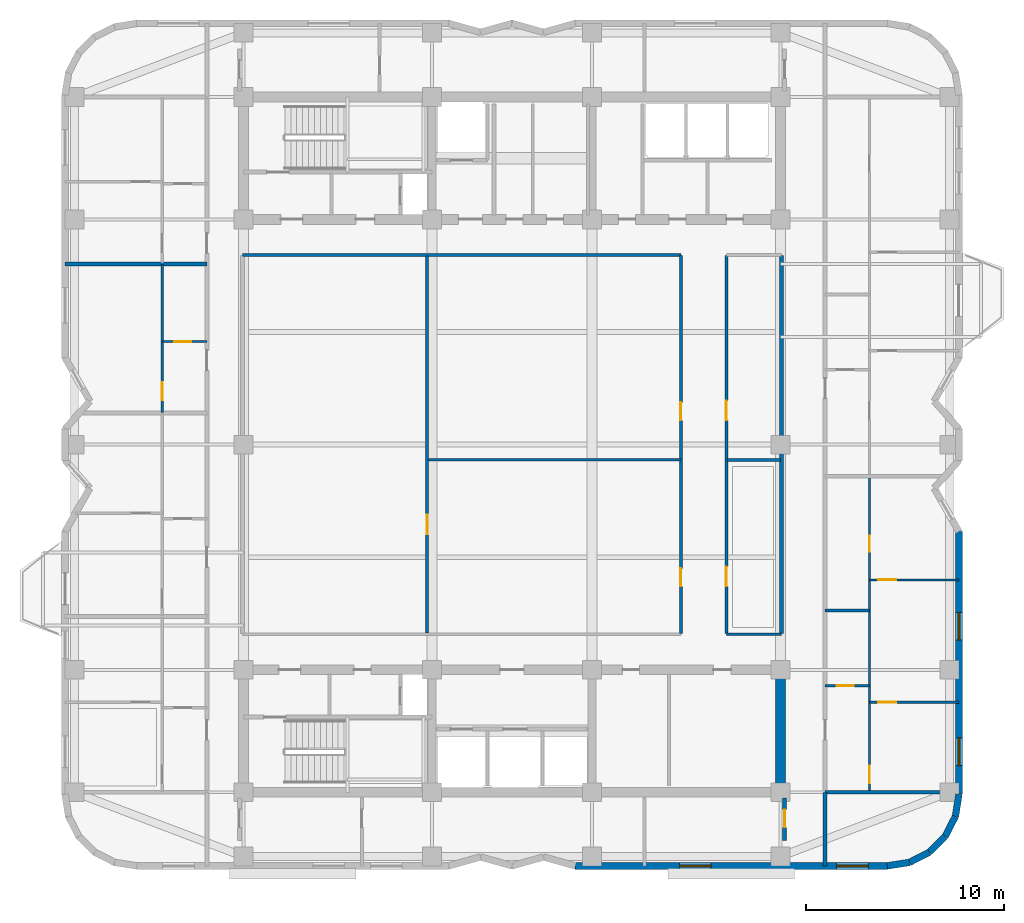
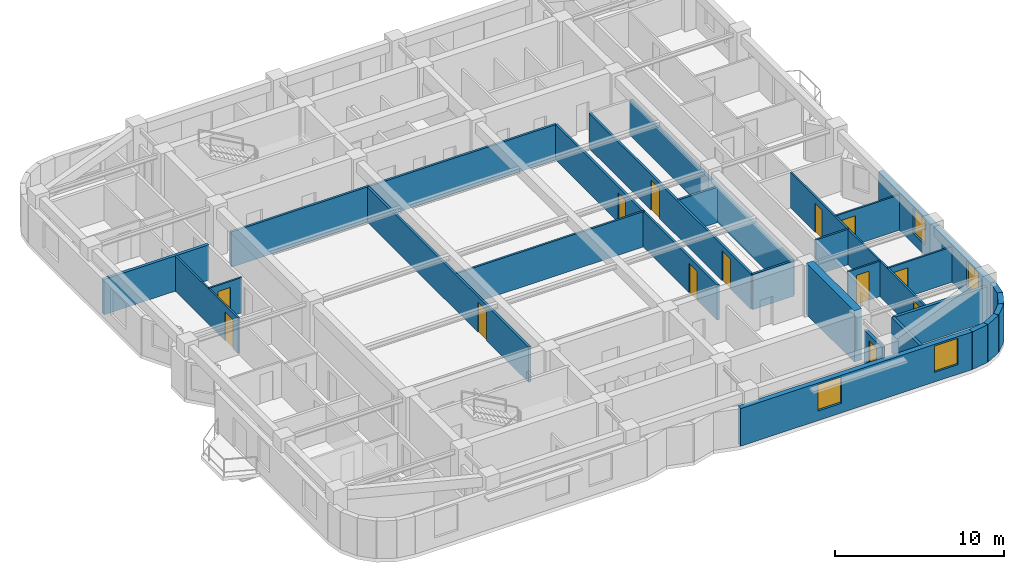
# One storey, part 4 of 9: 27 walls, 13 doors, 4 windows, 17 openings.
"""IFC4 building model written with IfcOpenShell, lengths in metres."""

from ifc_helpers import new_model, si_unit, direction, frame, frame_2d, origin, place, context, subcontext, project, spatial, rectangle, extrude, material, layer, layer_set, type_object, element, fill, save


model = new_model("IFC4")

# Units and contexts
model_context = context("Model", 3, precision=1e-05, world=origin(), true_north=direction((0.0, 1.0)))
body_context = subcontext(model_context, "Body", "Model", "MODEL_VIEW")
ifc_project = project(units=[si_unit("LENGTHUNIT", "METRE"), si_unit("AREAUNIT", "SQUARE_METRE"), si_unit("VOLUMEUNIT", "CUBIC_METRE"), si_unit("PLANEANGLEUNIT", "RADIAN"), si_unit("MASSUNIT", "GRAM", prefix="KILO")], contexts=[model_context])

# Site, building, storey
site_placement = place(None, origin())
site = spatial("IfcSite", under=ifc_project, at=site_placement, CompositionType="ELEMENT")
building_placement = place(site_placement, origin())
building = spatial("IfcBuilding", under=site, at=building_placement, Name="Svetorya Sky Lyceum", CompositionType="ELEMENT")
storey_placement = place(building_placement, frame((0.0, 0.0, 166.300048828125)))
storey = spatial("IfcBuildingStorey", under=building, at=storey_placement, Name="L41", CompositionType="ELEMENT", Elevation=166.300048828125)

# Wall
ifc_material_1 = material(Name="Concrete C50/60", Category="concrete")
ifc_layer_1 = layer(ifc_material_1, 0.5)
ifc_layer_set_1 = layer_set([ifc_layer_1], Name="Concrete C50/60")
wall_type_1 = type_object("IfcWallType", Name="WL-CORE-500", PredefinedType="SHEAR", material=ifc_layer_set_1)
wall_1_placement = place(storey_placement, frame((52.800048828125, 10.85009765625, 0.0), z_axis=(0.0, 0.0, 1.0), x_axis=(0.0, 1.0, 0.0)))
element("IfcWall", 1, at=wall_1_placement, inside=storey, type_object=wall_type_1, Name="L41 SC East Core Shear Wall", PredefinedType="SHEAR", context=body_context, shape_type="SweptSolid", body=[
    extrude(rectangle(XDim=5.699951171875, YDim=0.5, at=frame_2d((2.85009765625, 0.0))), origin(), (0.0, 0.0, 1.0), 3.699951171875),
])

# Wall, openings, windows
ifc_material_2 = material(Name="Putilovo limestone rainscreen on autoclaved cellular masonry", Category="masonry")
ifc_layer_2 = layer(ifc_material_2, 0.340087890625)
ifc_layer_set_2 = layer_set([ifc_layer_2], Name="Putilovo limestone rainscreen on autoclaved cellular masonry")
wall_type_2 = type_object("IfcWallType", Name="WL-EXT-340", PredefinedType="SOLIDWALL", material=ifc_layer_set_2)
wall_2_placement = place(storey_placement, frame((42.39990234375, 6.8701171875, 0.0), z_axis=(0.0, 0.0, 1.0), x_axis=(1.0, 0.0, 0.0)))
wall_2 = element("IfcWall", 2, at=wall_2_placement, inside=storey, type_object=wall_type_2, Name="L41 Limestone Exterior Wall 11M", PredefinedType="SOLIDWALL", context=body_context, shape_type="SweptSolid", body=[
    extrude(rectangle(XDim=15.800048828125, YDim=0.340087890625, at=frame_2d((7.89990234375, 0.0))), origin(), (0.0, 0.0, 1.0), 2.719970703125),
])
opening_1_placement = place(wall_2_placement, frame((5.28759765625, 0.0, 0.699951171875)))
opening_1 = element("IfcOpeningElement", 3, at=opening_1_placement, cuts=wall_2, Name="Opening W-R4", PredefinedType="OPENING", context=body_context, shape_type="SweptSolid", body=[
    extrude(rectangle(XDim=1.60009765625, YDim=1.89990234375, at=frame_2d((0.800048828125, 0.949951171875))), frame((0.0, 0.179931640625, 0.0), z_axis=(0.0, -1.0, 0.0), x_axis=(1.0, 0.0, 0.0)), (0.0, 0.0, 1.0), 0.360107421875),
])
opening_2_placement = place(wall_2_placement, frame((13.237548828125, 0.0, 0.699951171875)))
opening_2 = element("IfcOpeningElement", 4, at=opening_2_placement, cuts=wall_2, Name="Opening W-R4", PredefinedType="OPENING", context=body_context, shape_type="SweptSolid", body=[
    extrude(rectangle(XDim=1.60009765625, YDim=1.89990234375, at=frame_2d((0.800048828125, 0.949951171875))), frame((0.0, 0.179931640625, 0.0), z_axis=(0.0, -1.0, 0.0), x_axis=(1.0, 0.0, 0.0)), (0.0, 0.0, 1.0), 0.360107421875),
])
ifc_material_3 = material(Name="Thermally broken aluminium frame with triple low-E glazing", Category="aluminium")
window_type_1 = type_object("IfcWindowType", Name="WN-RES-160", PartitioningType="DOUBLE_PANEL_VERTICAL", PredefinedType="WINDOW", material=ifc_material_3)
window_1_placement = place(opening_1_placement, origin())
window_1 = element("IfcWindow", 5, at=window_1_placement, inside=storey, type_object=window_type_1, Name="L41 Facade Window W-R4.11M.1", OverallHeight=1.89990234375, OverallWidth=1.60009765625, PartitioningType="SINGLE_PANEL", PredefinedType="WINDOW", context=body_context, shape_type="SweptSolid", body=[
    extrude(rectangle(XDim=1.60009765625, YDim=1.89990234375, at=frame_2d((0.800048828125, 0.949951171875))), frame((0.0, 0.030029296875, 0.0), z_axis=(0.0, -1.0, 0.0), x_axis=(1.0, 0.0, 0.0)), (0.0, 0.0, 1.0), 0.06005859375),
])
fill(opening_1, window_1)
window_2_placement = place(opening_2_placement, origin())
window_2 = element("IfcWindow", 6, at=window_2_placement, inside=storey, type_object=window_type_1, Name="L41 Facade Window W-R4.11M.2", OverallHeight=1.89990234375, OverallWidth=1.60009765625, PartitioningType="SINGLE_PANEL", PredefinedType="WINDOW", context=body_context, shape_type="SweptSolid", body=[
    extrude(rectangle(XDim=1.60009765625, YDim=1.89990234375, at=frame_2d((0.800048828125, 0.949951171875))), frame((0.0, 0.030029296875, 0.0), z_axis=(0.0, -1.0, 0.0), x_axis=(1.0, 0.0, 0.0)), (0.0, 0.0, 1.0), 0.06005859375),
])
fill(opening_2, window_2)

# Walls
for number, where, z_axis, x_axis, name in (
    (7, (58.199951171875, 6.8701171875, 0.0), (0.0, 0.0, 1.0), (0.987714116584, 0.156271634985, 0.0), "L41 Limestone Exterior Wall 12M"),
    (8, (59.32177734375, 7.047607421875, 0.0), (0.0, 0.0, 1.0), (0.891005044957, 0.453993402883, 0.0), "L41 Limestone Exterior Wall 13M"),
):
    element("IfcWall", number, at=place(storey_placement, frame(where, z_axis=z_axis, x_axis=x_axis)), inside=storey, type_object=wall_type_2, Name=name, PredefinedType="SOLIDWALL", context=body_context, shape_type="SweptSolid", body=[
        extrude(rectangle(XDim=1.1357421875, YDim=0.340087890625, at=frame_2d((0.56787109375, 0.0))), origin(), (0.0, 0.0, 1.0), 2.719970703125),
    ])
wall_3_placement = place(storey_placement, frame((60.333740234375, 7.563232421875, 0.0), z_axis=(0.0, 0.0, 1.0), x_axis=(0.707106781187, 0.707106781187, 0.0)))
element("IfcWall", 9, at=wall_3_placement, inside=storey, type_object=wall_type_2, Name="L41 Limestone Exterior Wall 14M", PredefinedType="SOLIDWALL", context=body_context, shape_type="SweptSolid", body=[
    extrude(rectangle(XDim=1.135498046875, YDim=0.340087890625, at=frame_2d((0.56787109375, 0.0))), origin(), (0.0, 0.0, 1.0), 2.719970703125),
])
wall_4_placement = place(storey_placement, frame((61.13671875, 8.3662109375, 0.0), z_axis=(0.0, 0.0, 1.0), x_axis=(0.45390646422, 0.891049337433, 0.0)))
element("IfcWall", 10, at=wall_4_placement, inside=storey, type_object=wall_type_2, Name="L41 Limestone Exterior Wall 15M", PredefinedType="SOLIDWALL", context=body_context, shape_type="SweptSolid", body=[
    extrude(rectangle(XDim=1.135986328125, YDim=0.340087890625, at=frame_2d((0.56787109375, 0.0))), origin(), (0.0, 0.0, 1.0), 2.719970703125),
])
wall_5_placement = place(storey_placement, frame((61.65234375, 9.37841796875, 0.0), z_axis=(0.0, 0.0, 1.0), x_axis=(0.156514556949, 0.987675651954, 0.0)))
element("IfcWall", 11, at=wall_5_placement, inside=storey, type_object=wall_type_2, Name="L41 Limestone Exterior Wall 16M", PredefinedType="SOLIDWALL", context=body_context, shape_type="SweptSolid", body=[
    extrude(rectangle(XDim=1.135498046875, YDim=0.340087890625, at=frame_2d((0.56787109375, 0.0))), origin(), (0.0, 0.0, 1.0), 2.719970703125),
])

# Wall, openings, windows
wall_6_placement = place(storey_placement, frame((61.830078125, 10.5, 0.0), z_axis=(0.0, 0.0, 1.0), x_axis=(0.0, 1.0, 0.0)))
wall_6 = element("IfcWall", 12, at=wall_6_placement, inside=storey, type_object=wall_type_2, Name="L41 Limestone Exterior Wall 17M", PredefinedType="SOLIDWALL", context=body_context, shape_type="SweptSolid", body=[
    extrude(rectangle(XDim=13.300048828125, YDim=0.340087890625, at=frame_2d((6.64990234375, 0.0))), origin(), (0.0, 0.0, 1.0), 2.719970703125),
])
opening_3_placement = place(wall_6_placement, frame((1.449951171875, 0.0, 0.75)))
opening_3 = element("IfcOpeningElement", 13, at=opening_3_placement, cuts=wall_6, Name="Opening W-R2", PredefinedType="OPENING", context=body_context, shape_type="SweptSolid", body=[
    extrude(rectangle(XDim=1.39990234375, YDim=1.85009765625, at=frame_2d((0.699951171875, 0.925048828125))), frame((0.0, 0.179931640625, 0.0), z_axis=(0.0, -1.0, 0.0), x_axis=(1.0, 0.0, 0.0)), (0.0, 0.0, 1.0), 0.360107421875),
])
opening_4_placement = place(wall_6_placement, frame((7.800048828125, 0.0, 0.75)))
opening_4 = element("IfcOpeningElement", 14, at=opening_4_placement, cuts=wall_6, Name="Opening W-R2", PredefinedType="OPENING", context=body_context, shape_type="SweptSolid", body=[
    extrude(rectangle(XDim=1.39990234375, YDim=1.85009765625, at=frame_2d((0.699951171875, 0.925048828125))), frame((0.0, 0.179931640625, 0.0), z_axis=(0.0, -1.0, 0.0), x_axis=(1.0, 0.0, 0.0)), (0.0, 0.0, 1.0), 0.360107421875),
])
window_type_2 = type_object("IfcWindowType", Name="WN-RES-140", PartitioningType="SINGLE_PANEL", PredefinedType="WINDOW", material=ifc_material_3)
window_3_placement = place(opening_3_placement, origin())
window_3 = element("IfcWindow", 15, at=window_3_placement, inside=storey, type_object=window_type_2, Name="L41 Facade Window W-R2.17M.1", OverallHeight=1.85009765625, OverallWidth=1.39990234375, PartitioningType="SINGLE_PANEL", PredefinedType="WINDOW", context=body_context, shape_type="SweptSolid", body=[
    extrude(rectangle(XDim=1.39990234375, YDim=1.85009765625, at=frame_2d((0.699951171875, 0.925048828125))), frame((0.0, 0.030029296875, 0.0), z_axis=(0.0, -1.0, 0.0), x_axis=(1.0, 0.0, 0.0)), (0.0, 0.0, 1.0), 0.06005859375),
])
fill(opening_3, window_3)
window_4_placement = place(opening_4_placement, origin())
window_4 = element("IfcWindow", 16, at=window_4_placement, inside=storey, type_object=window_type_2, Name="L41 Facade Window W-R2.17M.2", OverallHeight=1.85009765625, OverallWidth=1.39990234375, PartitioningType="SINGLE_PANEL", PredefinedType="WINDOW", context=body_context, shape_type="SweptSolid", body=[
    extrude(rectangle(XDim=1.39990234375, YDim=1.85009765625, at=frame_2d((0.699951171875, 0.925048828125))), frame((0.0, 0.030029296875, 0.0), z_axis=(0.0, -1.0, 0.0), x_axis=(1.0, 0.0, 0.0)), (0.0, 0.0, 1.0), 0.06005859375),
])
fill(opening_4, window_4)

# Wall, opening, door
ifc_material_4 = material(Name="Twin-stud galvanized framing with double fireboard", Category="gypsum")
ifc_layer_3 = layer(ifc_material_4, 0.1201171875)
ifc_layer_set_3 = layer_set([ifc_layer_3], Name="Twin-stud galvanized framing with double fireboard")
wall_type_3 = type_object("IfcWallType", Name="WL-PART-120", PredefinedType="PARTITIONING", material=ifc_layer_set_3)
wall_7_placement = place(storey_placement, frame((21.5, 33.419921875, 0.0), z_axis=(0.0, 0.0, 1.0), x_axis=(1.0, 0.0, 0.0)))
wall_7 = element("IfcWall", 17, at=wall_7_placement, inside=storey, type_object=wall_type_3, Name="L41 Interior Partition W3-WH1", PredefinedType="PARTITIONING", context=body_context, shape_type="SweptSolid", body=[
    extrude(rectangle(XDim=2.25, YDim=0.1201171875, at=frame_2d((1.125, 0.0))), origin(), (0.0, 0.0, 1.0), 2.550048828125),
])
opening_5_placement = place(wall_7_placement, frame((0.60009765625, 0.0, 0.0)))
opening_5 = element("IfcOpeningElement", 18, at=opening_5_placement, cuts=wall_7, Name="Opening D-BT1", PredefinedType="OPENING", context=body_context, shape_type="SweptSolid", body=[
    extrude(rectangle(XDim=0.85009765625, YDim=2.10009765625, at=frame_2d((0.425048828125, 1.050048828125))), frame((0.0, 0.070068359375, 0.0), z_axis=(0.0, -1.0, 0.0), x_axis=(1.0, 0.0, 0.0)), (0.0, 0.0, 1.0), 0.14013671875),
])
ifc_material_5 = material(Name="Moisture-resistant laminate bathroom door")
door_type_1 = type_object("IfcDoorType", Name="DR-WET-850", OperationType="SINGLE_SWING_LEFT", PredefinedType="DOOR", material=ifc_material_5)
door_1_placement = place(opening_5_placement, origin())
door_1 = element("IfcDoor", 19, at=door_1_placement, inside=storey, type_object=door_type_1, Name="Apartment W3 Bathroom Door", OperationType="SINGLE_SWING_LEFT", OverallHeight=2.10009765625, OverallWidth=0.85009765625, PredefinedType="DOOR", context=body_context, shape_type="SweptSolid", body=[
    extrude(rectangle(XDim=0.85009765625, YDim=2.10009765625, at=frame_2d((0.425048828125, 1.050048828125))), frame((0.0, 0.02490234375, 0.0), z_axis=(0.0, -1.0, 0.0), x_axis=(1.0, 0.0, 0.0)), (0.0, 0.0, 1.0), 0.050048828125),
])
fill(opening_5, door_1)

wall_8_placement = place(storey_placement, frame((21.5, 29.840087890625, 0.0), z_axis=(0.0, 0.0, 1.0), x_axis=(0.0, 1.0, 0.0)))
wall_8 = element("IfcWall", 20, at=wall_8_placement, inside=storey, type_object=wall_type_3, Name="L41 Interior Partition W3-WV", PredefinedType="PARTITIONING", context=body_context, shape_type="SweptSolid", body=[
    extrude(rectangle(XDim=7.471923828125, YDim=0.1201171875, at=frame_2d((3.73583984375, 0.0))), origin(), (0.0, 0.0, 1.0), 2.550048828125),
])
opening_6_placement = place(wall_8_placement, frame((0.610107421875, 0.0, 0.0)))
opening_6 = element("IfcOpeningElement", 21, at=opening_6_placement, cuts=wall_8, Name="Opening D-RM1", PredefinedType="OPENING", context=body_context, shape_type="SweptSolid", body=[
    extrude(rectangle(XDim=0.89990234375, YDim=2.10009765625, at=frame_2d((0.449951171875, 1.050048828125))), frame((0.0, 0.070068359375, 0.0), z_axis=(0.0, -1.0, 0.0), x_axis=(1.0, 0.0, 0.0)), (0.0, 0.0, 1.0), 0.14013671875),
])
ifc_material_6 = material(Name="Lacquered birch veneer internal door")
door_type_2 = type_object("IfcDoorType", Name="DR-INT-900", OperationType="SINGLE_SWING_LEFT", PredefinedType="DOOR", material=ifc_material_6)
door_2_placement = place(opening_6_placement, origin())
door_2 = element("IfcDoor", 22, at=door_2_placement, inside=storey, type_object=door_type_2, Name="Apartment W3 Living Door", OperationType="SINGLE_SWING_RIGHT", OverallHeight=2.10009765625, OverallWidth=0.89990234375, PredefinedType="DOOR", context=body_context, shape_type="SweptSolid", body=[
    extrude(rectangle(XDim=0.89990234375, YDim=2.10009765625, at=frame_2d((0.449951171875, 1.050048828125))), frame((0.0, 0.02490234375, 0.0), z_axis=(0.0, -1.0, 0.0), x_axis=(1.0, 0.0, 0.0)), (0.0, 0.0, 1.0), 0.050048828125),
])
fill(opening_6, door_2)

wall_9_placement = place(storey_placement, frame((55.050048828125, 16.0, 0.0), z_axis=(0.0, 0.0, 1.0), x_axis=(1.0, 0.0, 0.0)))
wall_9 = element("IfcWall", 23, at=wall_9_placement, inside=storey, type_object=wall_type_3, Name="L41 Interior Partition E1-WH1", PredefinedType="PARTITIONING", context=body_context, shape_type="SweptSolid", body=[
    extrude(rectangle(XDim=2.25, YDim=0.1201171875, at=frame_2d((1.125, 0.0))), origin(), (0.0, 0.0, 1.0), 2.550048828125),
])
opening_7_placement = place(wall_9_placement, frame((0.60009765625, 0.0, 0.0)))
opening_7 = element("IfcOpeningElement", 24, at=opening_7_placement, cuts=wall_9, Name="Opening D-BT1", PredefinedType="OPENING", context=body_context, shape_type="SweptSolid", body=[
    extrude(rectangle(XDim=0.85009765625, YDim=2.10009765625, at=frame_2d((0.425048828125, 1.050048828125))), frame((0.0, 0.070068359375, 0.0), z_axis=(0.0, -1.0, 0.0), x_axis=(1.0, 0.0, 0.0)), (0.0, 0.0, 1.0), 0.14013671875),
])
door_3_placement = place(opening_7_placement, origin())
door_3 = element("IfcDoor", 25, at=door_3_placement, inside=storey, type_object=door_type_1, Name="Apartment E1 Bathroom Door", OperationType="SINGLE_SWING_RIGHT", OverallHeight=2.10009765625, OverallWidth=0.85009765625, PredefinedType="DOOR", context=body_context, shape_type="SweptSolid", body=[
    extrude(rectangle(XDim=0.85009765625, YDim=2.10009765625, at=frame_2d((0.425048828125, 1.050048828125))), frame((0.0, 0.02490234375, 0.0), z_axis=(0.0, -1.0, 0.0), x_axis=(1.0, 0.0, 0.0)), (0.0, 0.0, 1.0), 0.050048828125),
])
fill(opening_7, door_3)

wall_10_placement = place(storey_placement, frame((57.300048828125, 15.14990234375, 0.0), z_axis=(0.0, 0.0, 1.0), x_axis=(1.0, 0.0, 0.0)))
wall_10 = element("IfcWall", 26, at=wall_10_placement, inside=storey, type_object=wall_type_3, Name="L41 Interior Partition E1-WL1", PredefinedType="PARTITIONING", context=body_context, shape_type="SweptSolid", body=[
    extrude(rectangle(XDim=4.530029296875, YDim=0.1201171875, at=frame_2d((2.26513671875, 0.0))), origin(), (0.0, 0.0, 1.0), 2.550048828125),
])
opening_8_placement = place(wall_10_placement, frame((0.449951171875, 0.0, 0.0)))
opening_8 = element("IfcOpeningElement", 27, at=opening_8_placement, cuts=wall_10, Name="Opening D-RM1", PredefinedType="OPENING", context=body_context, shape_type="SweptSolid", body=[
    extrude(rectangle(XDim=0.89990234375, YDim=2.10009765625, at=frame_2d((0.449951171875, 1.050048828125))), frame((0.0, 0.070068359375, 0.0), z_axis=(0.0, -1.0, 0.0), x_axis=(1.0, 0.0, 0.0)), (0.0, 0.0, 1.0), 0.14013671875),
])
door_4_placement = place(opening_8_placement, origin())
door_4 = element("IfcDoor", 28, at=door_4_placement, inside=storey, type_object=door_type_2, Name="Apartment E1 Master Bedroom Door", OperationType="SINGLE_SWING_RIGHT", OverallHeight=2.10009765625, OverallWidth=0.89990234375, PredefinedType="DOOR", context=body_context, shape_type="SweptSolid", body=[
    extrude(rectangle(XDim=0.89990234375, YDim=2.10009765625, at=frame_2d((0.449951171875, 1.050048828125))), frame((0.0, 0.02490234375, 0.0), z_axis=(0.0, -1.0, 0.0), x_axis=(1.0, 0.0, 0.0)), (0.0, 0.0, 1.0), 0.050048828125),
])
fill(opening_8, door_4)

wall_11_placement = place(storey_placement, frame((57.300048828125, 21.35009765625, 0.0), z_axis=(0.0, 0.0, 1.0), x_axis=(1.0, 0.0, 0.0)))
wall_11 = element("IfcWall", 29, at=wall_11_placement, inside=storey, type_object=wall_type_3, Name="L41 Interior Partition E1-WL2", PredefinedType="PARTITIONING", context=body_context, shape_type="SweptSolid", body=[
    extrude(rectangle(XDim=4.530029296875, YDim=0.1201171875, at=frame_2d((2.26513671875, 0.0))), origin(), (0.0, 0.0, 1.0), 2.550048828125),
])
opening_9_placement = place(wall_11_placement, frame((0.449951171875, 0.0, 0.0)))
opening_9 = element("IfcOpeningElement", 30, at=opening_9_placement, cuts=wall_11, Name="Opening D-RM1", PredefinedType="OPENING", context=body_context, shape_type="SweptSolid", body=[
    extrude(rectangle(XDim=0.89990234375, YDim=2.10009765625, at=frame_2d((0.449951171875, 1.050048828125))), frame((0.0, 0.070068359375, 0.0), z_axis=(0.0, -1.0, 0.0), x_axis=(1.0, 0.0, 0.0)), (0.0, 0.0, 1.0), 0.14013671875),
])
door_5_placement = place(opening_9_placement, origin())
door_5 = element("IfcDoor", 31, at=door_5_placement, inside=storey, type_object=door_type_2, Name="Apartment E1 Bedroom 2 Door", OperationType="SINGLE_SWING_LEFT", OverallHeight=2.10009765625, OverallWidth=0.89990234375, PredefinedType="DOOR", context=body_context, shape_type="SweptSolid", body=[
    extrude(rectangle(XDim=0.89990234375, YDim=2.10009765625, at=frame_2d((0.449951171875, 1.050048828125))), frame((0.0, 0.02490234375, 0.0), z_axis=(0.0, -1.0, 0.0), x_axis=(1.0, 0.0, 0.0)), (0.0, 0.0, 1.0), 0.050048828125),
])
fill(opening_9, door_5)

# Wall, openings, doors
wall_12_placement = place(storey_placement, frame((57.300048828125, 10.639892578125, 0.0), z_axis=(0.0, 0.0, 1.0), x_axis=(0.0, 1.0, 0.0)))
wall_12 = element("IfcWall", 32, at=wall_12_placement, inside=storey, type_object=wall_type_3, Name="L41 Interior Partition E1-WV", PredefinedType="PARTITIONING", context=body_context, shape_type="SweptSolid", body=[
    extrude(rectangle(XDim=15.920166015625, YDim=0.1201171875, at=frame_2d((7.9599609375, 0.0))), origin(), (0.0, 0.0, 1.0), 2.550048828125),
])
opening_10_placement = place(wall_12_placement, frame((0.409912109375, 0.0, 0.0)))
opening_10 = element("IfcOpeningElement", 33, at=opening_10_placement, cuts=wall_12, Name="Opening D-RM1", PredefinedType="OPENING", context=body_context, shape_type="SweptSolid", body=[
    extrude(rectangle(XDim=0.89990234375, YDim=2.10009765625, at=frame_2d((0.449951171875, 1.050048828125))), frame((0.0, 0.070068359375, 0.0), z_axis=(0.0, -1.0, 0.0), x_axis=(1.0, 0.0, 0.0)), (0.0, 0.0, 1.0), 0.14013671875),
])
opening_11_placement = place(wall_12_placement, frame((12.135009765625, 0.0, 0.0)))
opening_11 = element("IfcOpeningElement", 34, at=opening_11_placement, cuts=wall_12, Name="Opening D-BT2", PredefinedType="OPENING", context=body_context, shape_type="SweptSolid", body=[
    extrude(rectangle(XDim=0.820068359375, YDim=2.080078125, at=frame_2d((0.41015625, 1.0400390625))), frame((0.0, 0.070068359375, 0.0), z_axis=(0.0, -1.0, 0.0), x_axis=(1.0, 0.0, 0.0)), (0.0, 0.0, 1.0), 0.14013671875),
])
door_6_placement = place(opening_10_placement, origin())
door_6 = element("IfcDoor", 35, at=door_6_placement, inside=storey, type_object=door_type_2, Name="Apartment E1 Living Door", OperationType="SINGLE_SWING_LEFT", OverallHeight=2.10009765625, OverallWidth=0.89990234375, PredefinedType="DOOR", context=body_context, shape_type="SweptSolid", body=[
    extrude(rectangle(XDim=0.89990234375, YDim=2.10009765625, at=frame_2d((0.449951171875, 1.050048828125))), frame((0.0, 0.02490234375, 0.0), z_axis=(0.0, -1.0, 0.0), x_axis=(1.0, 0.0, 0.0)), (0.0, 0.0, 1.0), 0.050048828125),
])
fill(opening_10, door_6)
ifc_material_7 = material(Name="Compact moisture-resistant laminate closet door")
door_type_3 = type_object("IfcDoorType", Name="DR-WET-820", OperationType="SINGLE_SWING_LEFT", PredefinedType="DOOR", material=ifc_material_7)
door_7_placement = place(opening_11_placement, origin())
door_7 = element("IfcDoor", 36, at=door_7_placement, inside=storey, type_object=door_type_3, Name="Apartment E1 Study Door", OperationType="SINGLE_SWING_RIGHT", OverallHeight=2.080078125, OverallWidth=0.820068359375, PredefinedType="DOOR", context=body_context, shape_type="SweptSolid", body=[
    extrude(rectangle(XDim=0.820068359375, YDim=2.080078125, at=frame_2d((0.41015625, 1.0400390625))), frame((0.0, 0.02490234375, 0.0), z_axis=(0.0, -1.0, 0.0), x_axis=(1.0, 0.0, 0.0)), (0.0, 0.0, 1.0), 0.050048828125),
])
fill(opening_11, door_7)

# Walls
ifc_material_8 = material(Name="Twin-stud galvanized framing with acoustic board", Category="gypsum")
ifc_layer_4 = layer(ifc_material_8, 0.135009765625)
ifc_layer_set_4 = layer_set([ifc_layer_4], Name="Twin-stud galvanized framing with acoustic board")
wall_type_4 = type_object("IfcWallType", Name="WL-PART-135", PredefinedType="PARTITIONING", material=ifc_layer_set_4)
wall_13_placement = place(storey_placement, frame((34.949951171875, 27.434326171875, 0.0), z_axis=(0.0, 0.0, 1.0), x_axis=(1.0, 0.0, 0.0)))
element("IfcWall", 37, at=wall_13_placement, inside=storey, type_object=wall_type_4, Name="L41 Interior Partition OFF-WHM", PredefinedType="PARTITIONING", context=body_context, shape_type="SweptSolid", body=[
    extrude(rectangle(XDim=12.81005859375, YDim=0.135009765625, at=frame_2d((6.405029296875, 0.0))), origin(), (0.0, 0.0, 1.0), 2.550048828125),
])
wall_14_placement = place(storey_placement, frame((55.050048828125, 19.800048828125, 0.0), z_axis=(0.0, 0.0, 1.0), x_axis=(1.0, 0.0, 0.0)))
element("IfcWall", 38, at=wall_14_placement, inside=storey, type_object=wall_type_4, Name="L41 Interior Partition E1-WH2", PredefinedType="PARTITIONING", context=body_context, shape_type="SweptSolid", body=[
    extrude(rectangle(XDim=2.25, YDim=0.135009765625, at=frame_2d((1.125, 0.0))), origin(), (0.0, 0.0, 1.0), 2.550048828125),
])
ifc_material_9 = material(Name="Autoclaved cellular masonry blockwork with acoustic render", Category="masonry")
ifc_layer_5 = layer(ifc_material_9, 0.14990234375)
ifc_layer_set_5 = layer_set([ifc_layer_5], Name="Autoclaved cellular masonry blockwork with acoustic render")
wall_type_5 = type_object("IfcWallType", Name="WL-PART-150", PredefinedType="PARTITIONING", material=ifc_layer_set_5)
wall_15_placement = place(storey_placement, frame((50.050048828125, 18.60009765625, 0.0), z_axis=(0.0, 0.0, 1.0), x_axis=(1.0, 0.0, 0.0)))
element("IfcWall", 39, at=wall_15_placement, inside=storey, type_object=wall_type_5, Name="L41 Interior Partition OFF-CS-E", PredefinedType="PARTITIONING", context=body_context, shape_type="SweptSolid", body=[
    extrude(rectangle(XDim=2.800048828125, YDim=0.14990234375, at=frame_2d((1.39990234375, 0.0))), origin(), (0.0, 0.0, 1.0), 2.550048828125),
])
wall_16_placement = place(storey_placement, frame((25.550048828125, 37.800048828125, 0.0), z_axis=(0.0, 0.0, 1.0), x_axis=(1.0, 0.0, 0.0)))
element("IfcWall", 40, at=wall_16_placement, inside=storey, type_object=wall_type_5, Name="L41 Interior Partition OFF-CN-W", PredefinedType="PARTITIONING", context=body_context, shape_type="SweptSolid", body=[
    extrude(rectangle(XDim=22.199951171875, YDim=0.14990234375, at=frame_2d((11.10009765625, 0.0))), origin(), (0.0, 0.0, 1.0), 2.550048828125),
])

# Wall, opening, door
wall_17_placement = place(storey_placement, frame((34.89990234375, 18.659912109375, 0.0), z_axis=(0.0, 0.0, 1.0), x_axis=(0.0, 1.0, 0.0)))
wall_17 = element("IfcWall", 41, at=wall_17_placement, inside=storey, type_object=wall_type_5, Name="L41 Interior Partition OFF-WVM", PredefinedType="PARTITIONING", context=body_context, shape_type="SweptSolid", body=[
    extrude(rectangle(XDim=19.080078125, YDim=0.14990234375, at=frame_2d((9.5400390625, 0.0))), origin(), (0.0, 0.0, 1.0), 2.550048828125),
])
opening_12_placement = place(wall_17_placement, frame((5.0, 0.0, 0.0)))
opening_12 = element("IfcOpeningElement", 42, at=opening_12_placement, cuts=wall_17, Name="Opening D-RM2", PredefinedType="OPENING", context=body_context, shape_type="SweptSolid", body=[
    extrude(rectangle(XDim=1.0, YDim=2.14990234375, at=frame_2d((0.5, 1.074951171875))), frame((0.0, 0.0849609375, 0.0), z_axis=(0.0, -1.0, 0.0), x_axis=(1.0, 0.0, 0.0)), (0.0, 0.0, 1.0), 0.169921875),
])
ifc_material_10 = material(Name="Solid-core oak acoustic room door")
door_type_4 = type_object("IfcDoorType", Name="DR-INT-1000", OperationType="SINGLE_SWING_LEFT", PredefinedType="DOOR", material=ifc_material_10)
door_8_placement = place(opening_12_placement, origin())
door_8 = element("IfcDoor", 43, at=door_8_placement, inside=storey, type_object=door_type_4, Name="L41 West Seminar Door", OperationType="SINGLE_SWING_LEFT", OverallHeight=2.14990234375, OverallWidth=1.0, PredefinedType="DOOR", context=body_context, shape_type="SweptSolid", body=[
    extrude(rectangle(XDim=1.0, YDim=2.14990234375, at=frame_2d((0.5, 1.074951171875))), frame((0.0, 0.02490234375, 0.0), z_axis=(0.0, -1.0, 0.0), x_axis=(1.0, 0.0, 0.0)), (0.0, 0.0, 1.0), 0.050048828125),
])
fill(opening_12, door_8)

# Wall
wall_18_placement = place(storey_placement, frame((50.080078125, 27.434326171875, 0.0), z_axis=(0.0, 0.0, 1.0), x_axis=(1.0, 0.0, 0.0)))
element("IfcWall", 44, at=wall_18_placement, inside=storey, type_object=wall_type_5, Name="L41 Interior Partition OFF-HE", PredefinedType="PARTITIONING", context=body_context, shape_type="SweptSolid", body=[
    extrude(rectangle(XDim=2.719970703125, YDim=0.14990234375, at=frame_2d((1.35986328125, 0.0))), origin(), (0.0, 0.0, 1.0), 2.550048828125),
])

# Wall, openings, doors
wall_19_placement = place(storey_placement, frame((47.75, 18.6298828125, 0.0), z_axis=(0.0, 0.0, 1.0), x_axis=(0.0, 1.0, 0.0)))
wall_19 = element("IfcWall", 45, at=wall_19_placement, inside=storey, type_object=wall_type_5, Name="L41 Interior Partition OFF-VW", PredefinedType="PARTITIONING", context=body_context, shape_type="SweptSolid", body=[
    extrude(rectangle(XDim=19.14013671875, YDim=0.14990234375, at=frame_2d((9.570068359375, 0.0))), origin(), (0.0, 0.0, 1.0), 2.550048828125),
])
opening_13_placement = place(wall_19_placement, frame((2.39990234375, 0.0, 0.0)))
opening_13 = element("IfcOpeningElement", 46, at=opening_13_placement, cuts=wall_19, Name="Opening D-RM1", PredefinedType="OPENING", context=body_context, shape_type="SweptSolid", body=[
    extrude(rectangle(XDim=0.89990234375, YDim=2.10009765625, at=frame_2d((0.449951171875, 1.050048828125))), frame((0.0, 0.0849609375, 0.0), z_axis=(0.0, -1.0, 0.0), x_axis=(1.0, 0.0, 0.0)), (0.0, 0.0, 1.0), 0.169921875),
])
opening_14_placement = place(wall_19_placement, frame((10.804443359375, 0.0, 0.0)))
opening_14 = element("IfcOpeningElement", 47, at=opening_14_placement, cuts=wall_19, Name="Opening D-RM1", PredefinedType="OPENING", context=body_context, shape_type="SweptSolid", body=[
    extrude(rectangle(XDim=0.89990234375, YDim=2.10009765625, at=frame_2d((0.449951171875, 1.050048828125))), frame((0.0, 0.0849609375, 0.0), z_axis=(0.0, -1.0, 0.0), x_axis=(1.0, 0.0, 0.0)), (0.0, 0.0, 1.0), 0.169921875),
])
door_9_placement = place(opening_13_placement, origin())
door_9 = element("IfcDoor", 48, at=door_9_placement, inside=storey, type_object=door_type_2, Name="L41 Study Door", OperationType="SINGLE_SWING_LEFT", OverallHeight=2.10009765625, OverallWidth=0.89990234375, PredefinedType="DOOR", context=body_context, shape_type="SweptSolid", body=[
    extrude(rectangle(XDim=0.89990234375, YDim=2.10009765625, at=frame_2d((0.449951171875, 1.050048828125))), frame((0.0, 0.02490234375, 0.0), z_axis=(0.0, -1.0, 0.0), x_axis=(1.0, 0.0, 0.0)), (0.0, 0.0, 1.0), 0.050048828125),
])
fill(opening_13, door_9)
door_10_placement = place(opening_14_placement, origin())
door_10 = element("IfcDoor", 49, at=door_10_placement, inside=storey, type_object=door_type_2, Name="L41 Office Door", OperationType="SINGLE_SWING_RIGHT", OverallHeight=2.10009765625, OverallWidth=0.89990234375, PredefinedType="DOOR", context=body_context, shape_type="SweptSolid", body=[
    extrude(rectangle(XDim=0.89990234375, YDim=2.10009765625, at=frame_2d((0.449951171875, 1.050048828125))), frame((0.0, 0.02490234375, 0.0), z_axis=(0.0, -1.0, 0.0), x_axis=(1.0, 0.0, 0.0)), (0.0, 0.0, 1.0), 0.050048828125),
])
fill(opening_14, door_10)

wall_20_placement = place(storey_placement, frame((50.050048828125, 18.6298828125, 0.0), z_axis=(0.0, 0.0, 1.0), x_axis=(0.0, 1.0, 0.0)))
wall_20 = element("IfcWall", 50, at=wall_20_placement, inside=storey, type_object=wall_type_5, Name="L41 Interior Partition OFF-VE", PredefinedType="PARTITIONING", context=body_context, shape_type="SweptSolid", body=[
    extrude(rectangle(XDim=19.14013671875, YDim=0.14990234375, at=frame_2d((9.570068359375, 0.0))), origin(), (0.0, 0.0, 1.0), 2.550048828125),
])
opening_15_placement = place(wall_20_placement, frame((2.39990234375, 0.0, 0.0)))
opening_15 = element("IfcOpeningElement", 51, at=opening_15_placement, cuts=wall_20, Name="Opening D-RM2", PredefinedType="OPENING", context=body_context, shape_type="SweptSolid", body=[
    extrude(rectangle(XDim=1.0, YDim=2.14990234375, at=frame_2d((0.5, 1.074951171875))), frame((0.0, 0.0849609375, 0.0), z_axis=(0.0, -1.0, 0.0), x_axis=(1.0, 0.0, 0.0)), (0.0, 0.0, 1.0), 0.169921875),
])
opening_16_placement = place(wall_20_placement, frame((10.804443359375, 0.0, 0.0)))
opening_16 = element("IfcOpeningElement", 52, at=opening_16_placement, cuts=wall_20, Name="Opening D-RM2", PredefinedType="OPENING", context=body_context, shape_type="SweptSolid", body=[
    extrude(rectangle(XDim=1.0, YDim=2.14990234375, at=frame_2d((0.5, 1.074951171875))), frame((0.0, 0.0849609375, 0.0), z_axis=(0.0, -1.0, 0.0), x_axis=(1.0, 0.0, 0.0)), (0.0, 0.0, 1.0), 0.169921875),
])
door_11_placement = place(opening_15_placement, origin())
door_11 = element("IfcDoor", 53, at=door_11_placement, inside=storey, type_object=door_type_4, Name="L41 Club Door", OperationType="SINGLE_SWING_RIGHT", OverallHeight=2.14990234375, OverallWidth=1.0, PredefinedType="DOOR", context=body_context, shape_type="SweptSolid", body=[
    extrude(rectangle(XDim=1.0, YDim=2.14990234375, at=frame_2d((0.5, 1.074951171875))), frame((0.0, 0.02490234375, 0.0), z_axis=(0.0, -1.0, 0.0), x_axis=(1.0, 0.0, 0.0)), (0.0, 0.0, 1.0), 0.050048828125),
])
fill(opening_15, door_11)
door_12_placement = place(opening_16_placement, origin())
door_12 = element("IfcDoor", 54, at=door_12_placement, inside=storey, type_object=door_type_4, Name="L41 Seminar Door", OperationType="SINGLE_SWING_LEFT", OverallHeight=2.14990234375, OverallWidth=1.0, PredefinedType="DOOR", context=body_context, shape_type="SweptSolid", body=[
    extrude(rectangle(XDim=1.0, YDim=2.14990234375, at=frame_2d((0.5, 1.074951171875))), frame((0.0, 0.02490234375, 0.0), z_axis=(0.0, -1.0, 0.0), x_axis=(1.0, 0.0, 0.0)), (0.0, 0.0, 1.0), 0.050048828125),
])
fill(opening_16, door_12)

# Walls
ifc_material_11 = material(Name="Autoclaved cellular masonry blockwork with gypsum plaster", Category="masonry")
ifc_layer_6 = layer(ifc_material_11, 0.199951171875)
ifc_layer_set_6 = layer_set([ifc_layer_6], Name="Autoclaved cellular masonry blockwork with gypsum plaster")
wall_type_6 = type_object("IfcWallType", Name="WL-PART-200", PredefinedType="PARTITIONING", material=ifc_layer_set_6)
wall_21_placement = place(storey_placement, frame((52.85009765625, 18.6298828125, 0.0), z_axis=(0.0, 0.0, 1.0), x_axis=(0.0, 1.0, 0.0)))
element("IfcWall", 55, at=wall_21_placement, inside=storey, type_object=wall_type_6, Name="L41 Interior Partition E-CEN-SEP", PredefinedType="PARTITIONING", context=body_context, shape_type="SweptSolid", body=[
    extrude(rectangle(XDim=19.14013671875, YDim=0.199951171875, at=frame_2d((9.570068359375, 0.0))), origin(), (0.0, 0.0, 1.0), 2.550048828125),
])
wall_22_placement = place(storey_placement, frame((16.570068359375, 37.35205078125, 0.0), z_axis=(0.0, 0.0, 1.0), x_axis=(1.0, 0.0, 0.0)))
element("IfcWall", 56, at=wall_22_placement, inside=storey, type_object=wall_type_6, Name="L41 Interior Partition W-PARTY-3", PredefinedType="PARTITIONING", context=body_context, shape_type="SweptSolid", body=[
    extrude(rectangle(XDim=7.179931640625, YDim=0.199951171875, at=frame_2d((3.58984375, 0.0))), origin(), (0.0, 0.0, 1.0), 2.550048828125),
])
wall_23_placement = place(storey_placement, frame((55.050048828125, 10.60009765625, 0.0), z_axis=(0.0, 0.0, 1.0), x_axis=(1.0, 0.0, 0.0)))
element("IfcWall", 57, at=wall_23_placement, inside=storey, type_object=wall_type_6, Name="L41 Interior Partition E-CAP-S", PredefinedType="PARTITIONING", context=body_context, shape_type="SweptSolid", body=[
    extrude(rectangle(XDim=6.35986328125, YDim=0.199951171875, at=frame_2d((3.179931640625, 0.0))), origin(), (0.0, 0.0, 1.0), 2.550048828125),
])
wall_24_placement = place(storey_placement, frame((55.050048828125, 6.8701171875, 0.0), z_axis=(0.0, 0.0, 1.0), x_axis=(0.0, 1.0, 0.0)))
element("IfcWall", 58, at=wall_24_placement, inside=storey, type_object=wall_type_6, Name="L41 Interior Partition EC-SE-END", PredefinedType="PARTITIONING", context=body_context, shape_type="SweptSolid", body=[
    extrude(rectangle(XDim=3.72998046875, YDim=0.199951171875, at=frame_2d((1.864990234375, 0.0))), origin(), (0.0, 0.0, 1.0), 2.550048828125),
])

# Wall, opening, door
wall_25_placement = place(storey_placement, frame((53.0, 8.169921875, 0.0), z_axis=(0.0, 0.0, 1.0), x_axis=(0.0, 1.0, 0.0)))
wall_25 = element("IfcWall", 59, at=wall_25_placement, inside=storey, type_object=wall_type_6, Name="L41 Interior Partition S-EE", PredefinedType="PARTITIONING", context=body_context, shape_type="SweptSolid", body=[
    extrude(rectangle(XDim=2.130126953125, YDim=0.199951171875, at=frame_2d((1.06494140625, 0.0))), origin(), (0.0, 0.0, 1.0), 2.550048828125),
])
opening_17_placement = place(wall_25_placement, frame((0.64990234375, 0.0, 0.0)))
opening_17 = element("IfcOpeningElement", 60, at=opening_17_placement, cuts=wall_25, Name="Opening D-RM1", PredefinedType="OPENING", context=body_context, shape_type="SweptSolid", body=[
    extrude(rectangle(XDim=0.89990234375, YDim=2.10009765625, at=frame_2d((0.449951171875, 1.050048828125))), frame((0.0, 0.10986328125, 0.0), z_axis=(0.0, -1.0, 0.0), x_axis=(1.0, 0.0, 0.0)), (0.0, 0.0, 1.0), 0.219970703125),
])
door_13_placement = place(opening_17_placement, origin())
door_13 = element("IfcDoor", 61, at=door_13_placement, inside=storey, type_object=door_type_2, Name="L41 South Focus Door", OperationType="SINGLE_SWING_RIGHT", OverallHeight=2.10009765625, OverallWidth=0.89990234375, PredefinedType="DOOR", context=body_context, shape_type="SweptSolid", body=[
    extrude(rectangle(XDim=0.89990234375, YDim=2.10009765625, at=frame_2d((0.449951171875, 1.050048828125))), frame((0.0, 0.02490234375, 0.0), z_axis=(0.0, -1.0, 0.0), x_axis=(1.0, 0.0, 0.0)), (0.0, 0.0, 1.0), 0.050048828125),
])
fill(opening_17, door_13)

save(model, "model.ifc")
